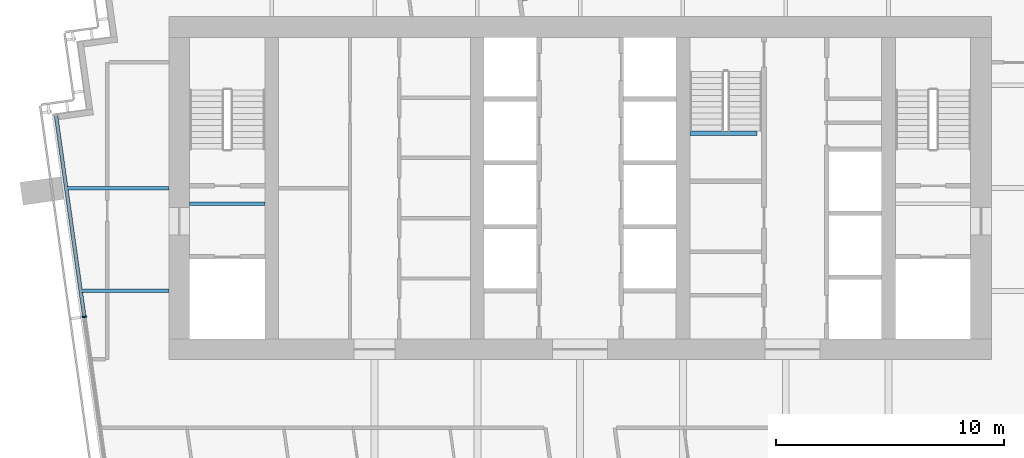
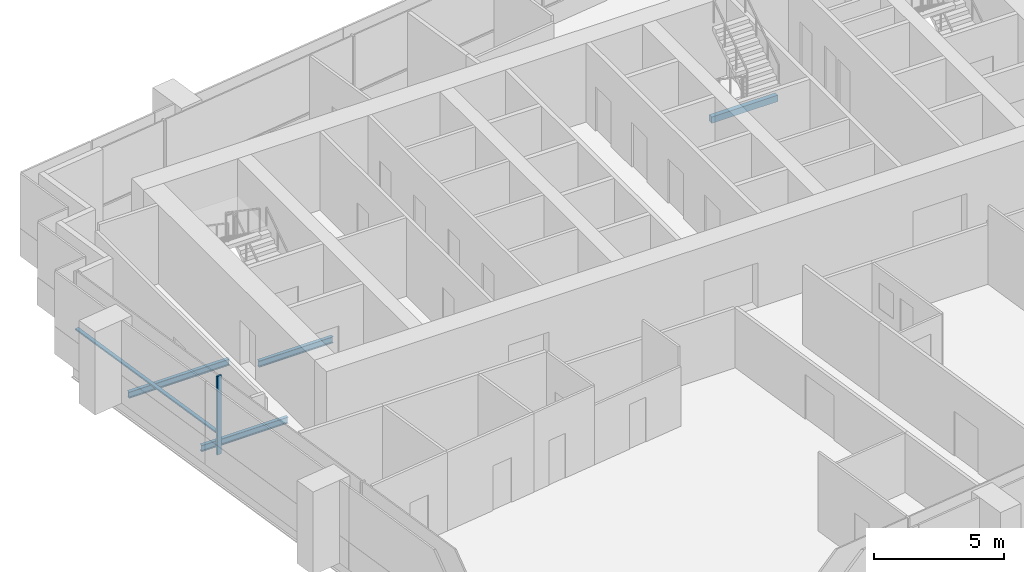
# One storey, part 4 of 18: 4 beams, 2 members, 1 element without a shape of its own.
"""IFC4 building model written with IfcOpenShell, lengths in metres."""

from ifc_helpers import new_model, si_unit, direction, frame, origin, origin_2d, place, context, subcontext, project, spatial, rectangle, i_section, extrude, material, layer, layer_set, material_profile, profile_set, type_object, element, aggregate, save


model = new_model("IFC4")

# Units and contexts
model_context = context("Model", 3, precision=1e-05, world=origin(), true_north=direction((0.0, 1.0)))
body_context = subcontext(model_context, "Body", "Model", "MODEL_VIEW")
ifc_project = project(units=[si_unit("LENGTHUNIT", "METRE"), si_unit("AREAUNIT", "SQUARE_METRE"), si_unit("VOLUMEUNIT", "CUBIC_METRE"), si_unit("PLANEANGLEUNIT", "RADIAN"), si_unit("MASSUNIT", "GRAM", prefix="KILO")], contexts=[model_context])

# Site, building, storey
site_placement = place(None, origin())
site = spatial("IfcSite", under=ifc_project, at=site_placement, CompositionType="ELEMENT")
building_placement = place(site_placement, origin())
building = spatial("IfcBuilding", under=site, at=building_placement, Name="Rattan Terrace Tower", CompositionType="ELEMENT")
storey_placement = place(building_placement, frame((0.0, 0.0, 233.0)))
storey = spatial("IfcBuildingStorey", under=building, at=storey_placement, Name="L53", CompositionType="ELEMENT", Elevation=233.0)

# Beams
ifc_material_1 = material(Name="Concrete C40/50", Category="concrete")
ifc_material_profile_1 = material_profile(ifc_material_1, rectangle(XDim=0.199951171875, YDim=0.300048828125, at=origin_2d()), Name="RC 200x300")
ifc_profile_set_1 = profile_set([ifc_material_profile_1], Name="Concrete C40/50")
beam_type_1 = type_object("IfcBeamType", Name="Core landing beam RC 200x300", PredefinedType="BEAM", material=ifc_profile_set_1)
beam_1_placement = place(storey_placement, frame((4.800048828125, 2.39990234375, 1.60009765625), z_axis=(1.0, 0.0, 0.0), x_axis=(0.0, 1.0, 0.0)))
element("IfcBeam", 1, at=beam_1_placement, inside=storey, type_object=beam_type_1, Name="st-S3-L53 landing 1 edge beam", PredefinedType="BEAM", context=body_context, shape_type="SweptSolid", body=[
    extrude(rectangle(XDim=0.199951171875, YDim=0.300048828125, at=origin_2d()), origin(), (0.0, 0.0, 1.0), 2.949951171875),
])
ifc_material_2 = material(Name="Steel S355", Category="steel")
ifc_material_profile_2 = material_profile(ifc_material_2, i_section(OverallWidth=0.14990234375, OverallDepth=0.300048828125, WebThickness=0.007080078125, FlangeThickness=0.0107421875, FilletRadius=0.014892578125, at=origin_2d()), Name="IPE 300")
ifc_profile_set_2 = profile_set([ifc_material_profile_2], Name="Steel S355")
beam_type_2 = type_object("IfcBeamType", Name="Frame floor beam IPE 300", PredefinedType="JOIST", material=ifc_profile_set_2)
beam_2_placement = place(storey_placement, frame((-17.10009765625, -0.695068359375, -0.35009765625), z_axis=(1.0, 0.0, 0.0), x_axis=(0.0, 1.0, 0.0)))
element("IfcBeam", 2, at=beam_2_placement, inside=storey, type_object=beam_type_2, Name="bm-L53-001", PredefinedType="JOIST", context=body_context, shape_type="SweptSolid", body=[
    extrude(i_section(OverallWidth=0.14990234375, OverallDepth=0.300048828125, WebThickness=0.007080078125, FlangeThickness=0.0107421875, FilletRadius=0.014892578125, at=origin_2d()), origin(), (0.0, 0.0, 1.0), 3.300048828125),
])
beam_3_placement = place(storey_placement, frame((-21.844970703125, -4.5, -0.35009765625), z_axis=(1.0, 0.0, 0.0), x_axis=(0.0, 1.0, 0.0)))
element("IfcBeam", 3, at=beam_3_placement, inside=storey, type_object=beam_type_2, Name="bm-L53-009", PredefinedType="JOIST", context=body_context, shape_type="SweptSolid", body=[
    extrude(i_section(OverallWidth=0.14990234375, OverallDepth=0.300048828125, WebThickness=0.007080078125, FlangeThickness=0.0107421875, FilletRadius=0.014892578125, at=origin_2d()), origin(), (0.0, 0.0, 1.0), 3.844970703125),
])
beam_4_placement = place(storey_placement, frame((-22.47705078125, 0.0, -0.35009765625), z_axis=(1.0, 0.0, 0.0), x_axis=(0.0, 1.0, 0.0)))
element("IfcBeam", 4, at=beam_4_placement, inside=storey, type_object=beam_type_2, Name="bm-L53-011", PredefinedType="JOIST", context=body_context, shape_type="SweptSolid", body=[
    extrude(i_section(OverallWidth=0.14990234375, OverallDepth=0.300048828125, WebThickness=0.007080078125, FlangeThickness=0.0107421875, FilletRadius=0.014892578125, at=origin_2d()), origin(), (0.0, 0.0, 1.0), 4.47705078125),
])

# Curtain wall, members
ifc_material_3 = material(Name="Aluminium and laminated glass", Category="aluminium")
ifc_layer = layer(ifc_material_3, 0.199951171875)
ifc_layer_set = layer_set([ifc_layer], Name="High-Zone Unitised Curtain Wall")
curtain_wall_type = type_object("IfcCurtainWallType", Name="High-Zone Unitised Curtain Wall", PredefinedType="NOTDEFINED", material=ifc_layer_set)
curtain_wall_placement = place(storey_placement, origin())
curtain_wall = element("IfcCurtainWall", 5, at=curtain_wall_placement, inside=storey, type_object=curtain_wall_type, Name="High-zone curtain wall L53-3", PredefinedType="NOTDEFINED")
ifc_material_4 = material(Name="Aluminium", Category="aluminium")
ifc_material_profile_3 = material_profile(ifc_material_4, rectangle(XDim=0.070068359375, YDim=0.199951171875, at=origin_2d()), Name="Aluminium 70x200")
ifc_profile_set_3 = profile_set([ifc_material_profile_3], Name="Aluminium")
member_type_1 = type_object("IfcMemberType", Name="High-Zone CW Mullion 70x200", PredefinedType="MULLION", material=ifc_profile_set_3)
member_1_placement = place(storey_placement, frame((-21.705078125, -5.638671875, 0.0), z_axis=(0.0, 0.0, 1.0), x_axis=(0.139186165309, -0.990266232579, 0.0)))
member_1 = element("IfcMember", 6, at=member_1_placement, type_object=member_type_1, Name="Mullion cwl-L53-003.2", PredefinedType="MULLION", context=body_context, shape_type="SweptSolid", body=[
    extrude(rectangle(XDim=0.070068359375, YDim=0.199951171875, at=origin_2d()), origin(), (0.0, 0.0, 1.0), 3.699951171875),
])
ifc_material_5 = material(Name="Aluminium", Category="aluminium")
ifc_material_profile_4 = material_profile(ifc_material_5, rectangle(XDim=0.159912109375, YDim=0.070068359375, at=origin_2d()), Name="Aluminium 160x70")
ifc_profile_set_4 = profile_set([ifc_material_profile_4], Name="Aluminium")
member_type_2 = type_object("IfcMemberType", Name="High-Zone CW Transom 160x70", PredefinedType="USERDEFINED", material=ifc_profile_set_4)
member_2_placement = place(storey_placement, frame((-22.941650390625, 3.159912109375, 1.0), z_axis=(0.139173253985, -0.990268047235, 0.0), x_axis=(0.990268047235, 0.139173253985, 0.0)))
member_2 = element("IfcMember", 7, at=member_2_placement, type_object=member_type_2, Name="Transom cwl-L53-003.1", ObjectType="TRANSOM", PredefinedType="USERDEFINED", context=body_context, shape_type="SweptSolid", body=[
    extrude(rectangle(XDim=0.159912109375, YDim=0.070068359375, at=origin_2d()), origin(), (0.0, 0.0, 1.0), 8.85009765625),
])
aggregate(curtain_wall, [member_1, member_2])

save(model, "model.ifc")
